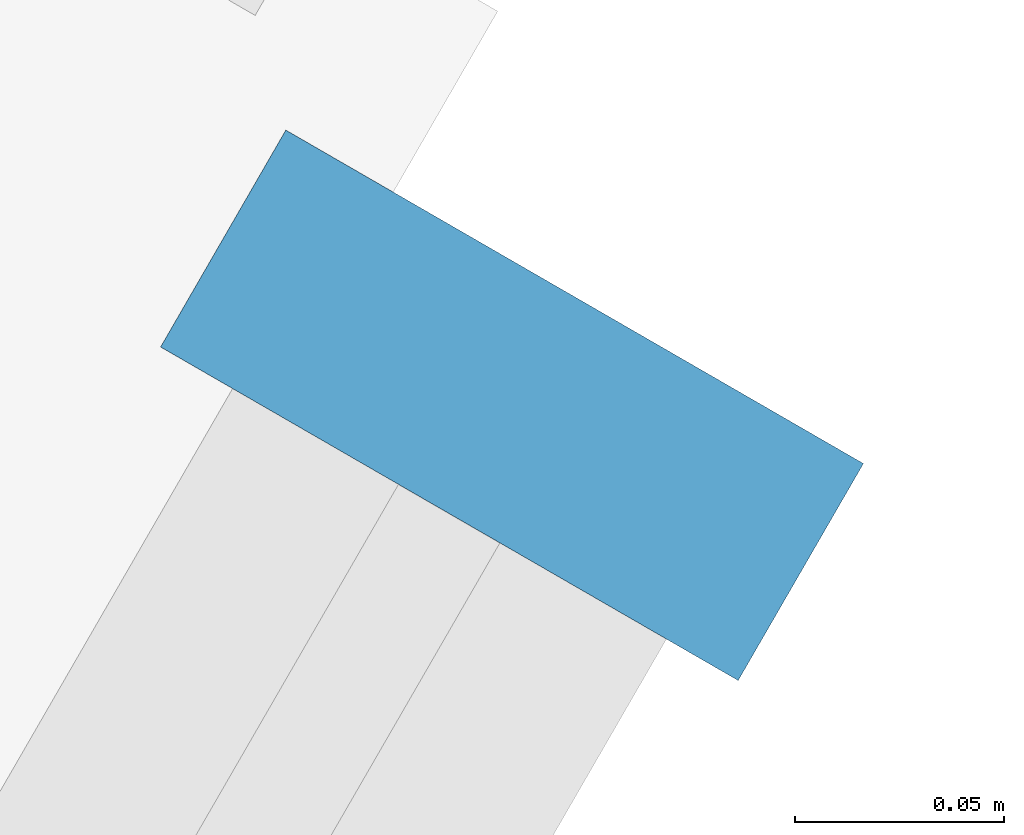
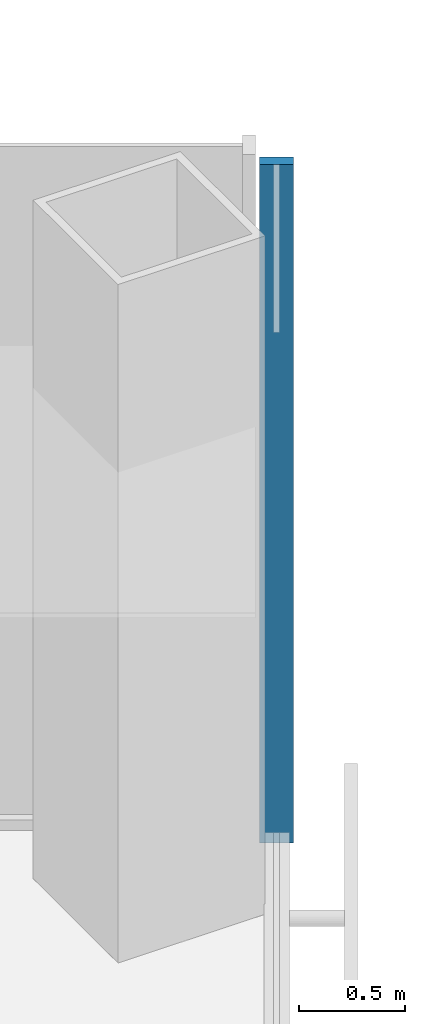
# One storey, part 9 of 18: 1 member, 1 element without a shape of its own.
"""IFC4 building model written with IfcOpenShell, lengths in metres."""

from ifc_helpers import new_model, si_unit, direction, frame, origin, origin_2d, place, context, subcontext, project, spatial, rectangle, extrude, material, material_profile, profile_set, type_object, element, aggregate, save


model = new_model("IFC4")

# Units and contexts
model_context = context("Model", 3, precision=1e-05, world=origin(), true_north=direction((0.0, 1.0)))
body_context = subcontext(model_context, "Body", "Model", "MODEL_VIEW")
ifc_project = project(units=[si_unit("LENGTHUNIT", "METRE"), si_unit("AREAUNIT", "SQUARE_METRE"), si_unit("VOLUMEUNIT", "CUBIC_METRE"), si_unit("PLANEANGLEUNIT", "RADIAN"), si_unit("MASSUNIT", "GRAM", prefix="KILO")], contexts=[model_context])

# Site, building, storey
site_placement = place(None, origin())
site = spatial("IfcSite", under=ifc_project, at=site_placement, CompositionType="ELEMENT")
building_placement = place(site_placement, origin())
building = spatial("IfcBuilding", under=site, at=building_placement, Name="Kasaneha Research Tower", CompositionType="ELEMENT")
storey_placement = place(building_placement, frame((0.0, 0.0, 69.0)))
storey = spatial("IfcBuildingStorey", under=building, at=storey_placement, Name="L17", CompositionType="ELEMENT", Elevation=69.0)

# Curtain wall, member
ifc_material_1 = material(Name="Glass and aluminium", Category="aluminium")
curtain_wall_type = type_object("IfcCurtainWallType", Name="Low-rise office curtain wall", PredefinedType="USERDEFINED", material=ifc_material_1)
curtain_wall_placement = place(storey_placement, origin())
curtain_wall = element("IfcCurtainWall", 1, at=curtain_wall_placement, inside=storey, type_object=curtain_wall_type, Name="CW-O1 L17 run 05a", ObjectType="UNITISED CURTAIN WALL", PredefinedType="USERDEFINED")
ifc_material_2 = material(Name="Aluminium 6063-T6", Category="aluminium")
ifc_material_profile = material_profile(ifc_material_2, rectangle(XDim=0.06005859375, YDim=0.159912109375, at=origin_2d()), Name="CW-O1 mullion 60x160")
ifc_profile_set = profile_set([ifc_material_profile], Name="Aluminium 6063-T6")
member_type = type_object("IfcMemberType", Name="CW-O1 mullion", PredefinedType="MULLION", material=ifc_profile_set)
member_placement = place(storey_placement, frame((32.012939453125, -6.39306640625, 0.0), z_axis=(0.0, 0.0, 1.0), x_axis=(0.500000011442, 0.866025397178, 0.0)))
member = element("IfcMember", 2, at=member_placement, type_object=member_type, Name="CW-O1 mullion 4", PredefinedType="MULLION", context=body_context, shape_type="SweptSolid", body=[
    extrude(rectangle(XDim=0.06005859375, YDim=0.159912109375, at=origin_2d()), origin(), (0.0, 0.0, 1.0), 3.89990234375),
])
aggregate(curtain_wall, [member])

save(model, "model.ifc")
